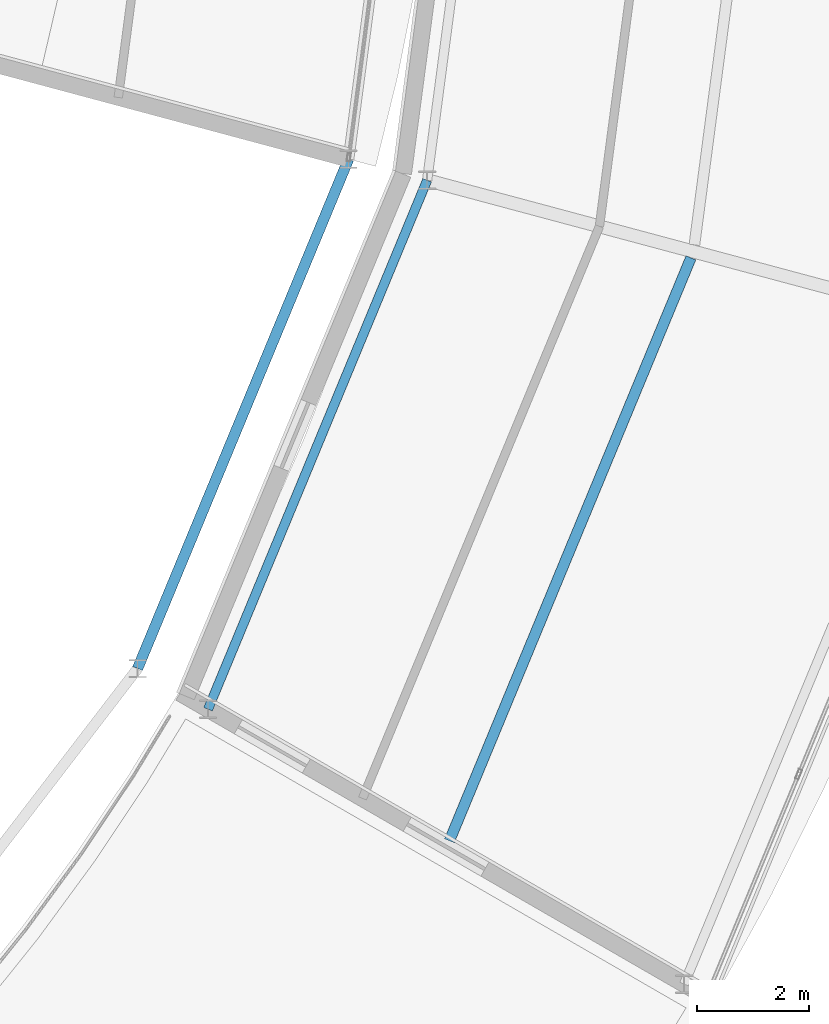
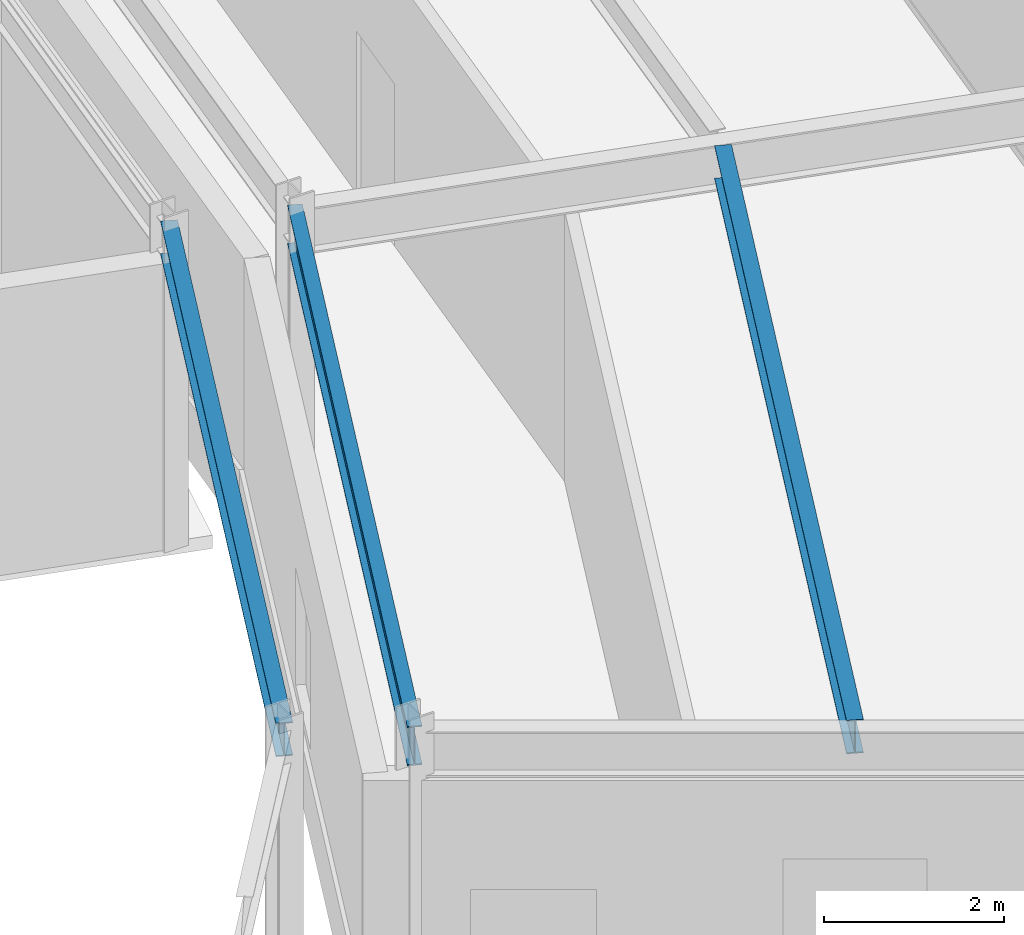
# One storey, part 38 of 133: 3 beams.
"""IFC4 building model written with IfcOpenShell, lengths in metres."""

from ifc_helpers import new_model, si_unit, direction, frame, origin, origin_2d, place, context, subcontext, project, spatial, i_section, extrude, material, material_profile, profile_set, type_object, element, save


model = new_model("IFC4")

# Units and contexts
model_context = context("Model", 3, precision=1e-05, world=origin(), true_north=direction((0.0, 1.0)))
body_context = subcontext(model_context, "Body", "Model", "MODEL_VIEW")
ifc_project = project(units=[si_unit("LENGTHUNIT", "METRE"), si_unit("AREAUNIT", "SQUARE_METRE"), si_unit("VOLUMEUNIT", "CUBIC_METRE"), si_unit("PLANEANGLEUNIT", "RADIAN"), si_unit("MASSUNIT", "GRAM", prefix="KILO")], contexts=[model_context])

# Site, building, storey
site_placement = place(None, origin())
site = spatial("IfcSite", under=ifc_project, at=site_placement, CompositionType="ELEMENT")
building_placement = place(site_placement, origin())
building = spatial("IfcBuilding", under=site, at=building_placement, Name="Almandine Court Research Institute", CompositionType="ELEMENT")
storey_placement = place(building_placement, frame((0.0, 0.0, 9.800048828125)))
storey = spatial("IfcBuildingStorey", under=building, at=storey_placement, Name="L02", CompositionType="ELEMENT", Elevation=9.800048828125)

# Beams
ifc_material = material(Name="Steel ASTM A992 Grade 50", Category="steel")
ifc_material_profile_1 = material_profile(ifc_material, i_section(OverallWidth=0.18994140625, OverallDepth=0.45703125, WebThickness=0.009033203125, FlangeThickness=0.014892578125, at=origin_2d()), Name="W460x74")
ifc_profile_set_1 = profile_set([ifc_material_profile_1], Name="Steel ASTM A992 Grade 50")
beam_type_1 = type_object("IfcBeamType", Name="Beam-B-01", PredefinedType="BEAM", material=ifc_profile_set_1)
beam_1_placement = place(storey_placement, frame((125.1650390625, 34.10400390625, 4.093994140625), z_axis=(0.382712804936, 0.923867365447, 0.0), x_axis=(-0.923867365447, 0.382712804936, 0.0)))
element("IfcBeam", 1, at=beam_1_placement, inside=storey, type_object=beam_type_1, Name="L02 Drum MID Ring Beam 22", PredefinedType="BEAM", context=body_context, shape_type="SweptSolid", body=[
    extrude(i_section(OverallWidth=0.18994140625, OverallDepth=0.45703125, WebThickness=0.009033203125, FlangeThickness=0.014892578125, at=origin_2d()), origin(), (0.0, 0.0, 1.0), 11.24853515625),
])
beam_2_placement = place(storey_placement, frame((119.60595703125, 37.175048828125, 4.140869140625), z_axis=(0.382683080424, 0.92387967829, 0.0), x_axis=(-0.92387967829, 0.382683080424, 0.0)))
element("IfcBeam", 2, at=beam_2_placement, inside=storey, type_object=beam_type_1, Name="L02 Atrium Outer Ring Beam", PredefinedType="BEAM", context=body_context, shape_type="SweptSolid", body=[
    extrude(i_section(OverallWidth=0.18994140625, OverallDepth=0.45703125, WebThickness=0.009033203125, FlangeThickness=0.014892578125, at=origin_2d()), origin(), (0.0, 0.0, 1.0), 9.827880859375),
])
ifc_material_profile_2 = material_profile(ifc_material, i_section(OverallWidth=0.166015625, OverallDepth=0.534912109375, WebThickness=0.010009765625, FlangeThickness=0.01708984375, at=origin_2d()), Name="W530x85")
ifc_profile_set_2 = profile_set([ifc_material_profile_2], Name="Steel ASTM A992 Grade 50")
beam_type_2 = type_object("IfcBeamType", Name="Beam-G-05-E", PredefinedType="SPANDREL", material=ifc_profile_set_2)
beam_3_placement = place(storey_placement, frame((120.862060546875, 36.449951171875, 4.054931640625), z_axis=(0.382683455912, 0.923879522758, 0.0), x_axis=(-0.923879522758, 0.382683455912, 0.0)))
element("IfcBeam", 3, at=beam_3_placement, inside=storey, type_object=beam_type_2, Name="L02 Drum IN Ring Beam 22", PredefinedType="SPANDREL", context=body_context, shape_type="SweptSolid", body=[
    extrude(i_section(OverallWidth=0.166015625, OverallDepth=0.534912109375, WebThickness=0.010009765625, FlangeThickness=0.01708984375, at=origin_2d()), origin(), (0.0, 0.0, 1.0), 10.206787109375),
])

save(model, "model.ifc")
